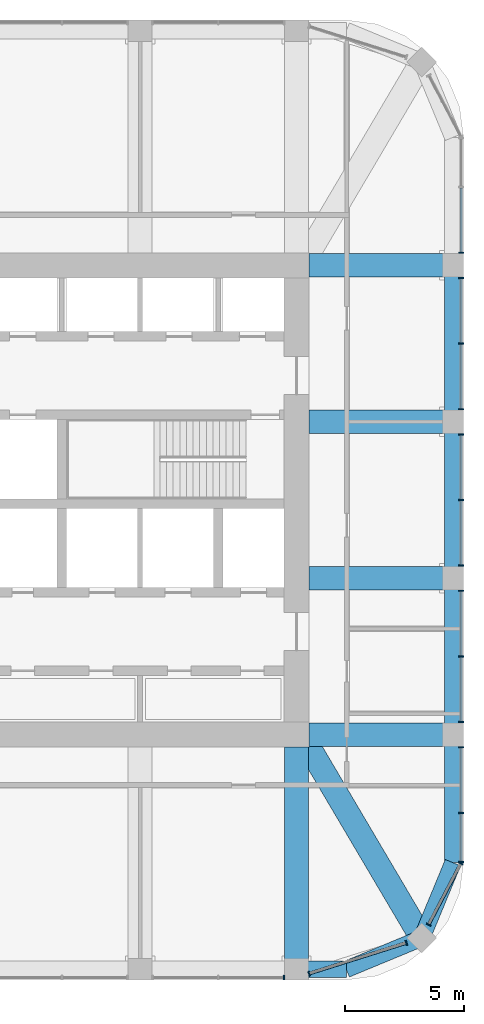
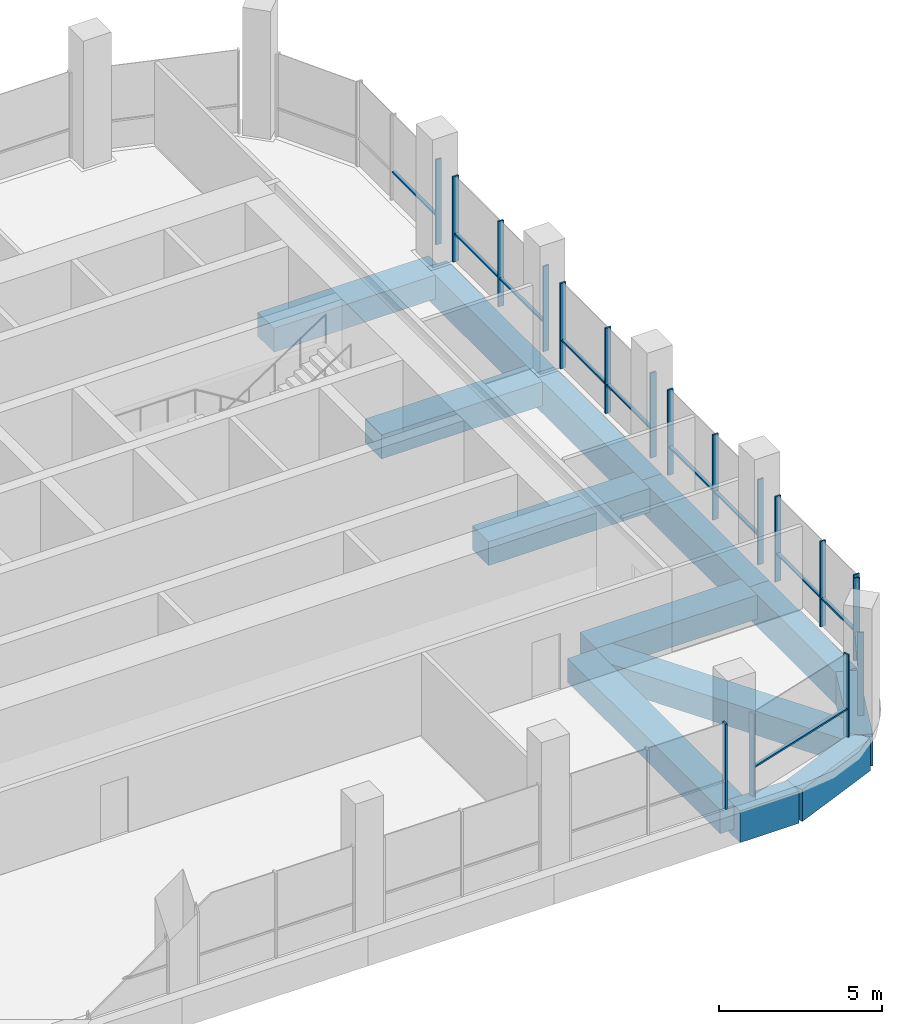
# One storey, part 4 of 13: 29 members, 13 beams, 8 elements without a shape of their own.
"""IFC4 building model written with IfcOpenShell, lengths in metres."""

from ifc_helpers import new_model, si_unit, direction, frame, origin, origin_2d, place, context, subcontext, project, spatial, rectangle, extrude, material, material_profile, profile_set, type_object, element, aggregate, save


model = new_model("IFC4")

# Units and contexts
model_context = context("Model", 3, precision=1e-05, world=origin(), true_north=direction((0.0, 1.0)))
body_context = subcontext(model_context, "Body", "Model", "MODEL_VIEW")
ifc_project = project(units=[si_unit("LENGTHUNIT", "METRE"), si_unit("AREAUNIT", "SQUARE_METRE"), si_unit("VOLUMEUNIT", "CUBIC_METRE"), si_unit("PLANEANGLEUNIT", "RADIAN"), si_unit("MASSUNIT", "GRAM", prefix="KILO")], contexts=[model_context])

# Site, building, storey
site_placement = place(None, origin())
site = spatial("IfcSite", under=ifc_project, at=site_placement, CompositionType="ELEMENT")
building_placement = place(site_placement, origin())
building = spatial("IfcBuilding", under=site, at=building_placement, Name="Cobogo Forest Laboratory Tower", CompositionType="ELEMENT")
storey_placement = place(building_placement, frame((0.0, 0.0, 288.0)))
storey = spatial("IfcBuildingStorey", under=building, at=storey_placement, Name="L66", CompositionType="ELEMENT", Elevation=288.0)

# Curtain wall, member
ifc_material_1 = material(Name="Aluminium curtain wall", Category="aluminium")
curtain_wall_type = type_object("IfcCurtainWallType", Name="CW-C stick curtain wall, crown glazing, conference floor and roof pavilion", PredefinedType="USERDEFINED", material=ifc_material_1)
curtain_wall_1_placement = place(storey_placement, origin())
curtain_wall_1 = element("IfcCurtainWall", 1, at=curtain_wall_1_placement, inside=storey, type_object=curtain_wall_type, Name="Curtain wall 04 L66", ObjectType="STICK CURTAIN WALL", PredefinedType="USERDEFINED")
ifc_material_2 = material(Name="Aluminium mullion", Category="aluminium")
ifc_material_profile_1 = material_profile(ifc_material_2, rectangle(XDim=0.06005859375, YDim=0.199951171875, at=origin_2d()), Name="AL 60x200")
ifc_profile_set_1 = profile_set([ifc_material_profile_1], Name="Aluminium mullion")
member_type_1 = type_object("IfcMemberType", Name="MU-2 aluminium mullion 60x200", PredefinedType="MULLION", material=ifc_profile_set_1)
member_1_placement = place(storey_placement, frame((39.070068359375, 2.949951171875, 0.0), z_axis=(0.0, 0.0, 1.0), x_axis=(1.0, 0.0, 0.0)))
member_1 = element("IfcMember", 2, at=member_1_placement, type_object=member_type_1, Name="CW-C mullion 3", PredefinedType="MULLION", context=body_context, shape_type="SweptSolid", body=[
    extrude(rectangle(XDim=0.06005859375, YDim=0.199951171875, at=origin_2d()), origin(), (0.0, 0.0, 1.0), 3.199951171875),
])
aggregate(curtain_wall_1, [member_1])

# Curtain wall, members
curtain_wall_2_placement = place(storey_placement, origin())
curtain_wall_2 = element("IfcCurtainWall", 3, at=curtain_wall_2_placement, inside=storey, type_object=curtain_wall_type, Name="Curtain wall 05 L66", ObjectType="STICK CURTAIN WALL", PredefinedType="USERDEFINED")
member_2_placement = place(storey_placement, frame((40.128662109375, 3.116943359375, 0.0), z_axis=(0.0, 0.0, 1.0), x_axis=(0.953581379409, 0.301135439371, 0.0)))
member_2 = element("IfcMember", 4, at=member_2_placement, type_object=member_type_1, Name="CW-C mullion 1", PredefinedType="MULLION", context=body_context, shape_type="SweptSolid", body=[
    extrude(rectangle(XDim=0.06005859375, YDim=0.199951171875, at=origin_2d()), origin(), (0.0, 0.0, 1.0), 3.10009765625),
])
member_3_placement = place(storey_placement, frame((44.22998046875, 4.412109375, 0.0), z_axis=(0.0, 0.0, 1.0), x_axis=(0.953581379409, 0.301135439371, 0.0)))
member_3 = element("IfcMember", 5, at=member_3_placement, type_object=member_type_1, Name="CW-C mullion 2", PredefinedType="MULLION", context=body_context, shape_type="SweptSolid", body=[
    extrude(rectangle(XDim=0.06005859375, YDim=0.199951171875, at=origin_2d()), origin(), (0.0, 0.0, 1.0), 3.10009765625),
])

curtain_wall_3_placement = place(storey_placement, origin())
curtain_wall_3 = element("IfcCurtainWall", 6, at=curtain_wall_3_placement, inside=storey, type_object=curtain_wall_type, Name="Curtain wall 06 L66", ObjectType="STICK CURTAIN WALL", PredefinedType="USERDEFINED")
member_4_placement = place(storey_placement, frame((45.177978515625, 5.1826171875, 0.0), z_axis=(0.0, 0.0, 1.0), x_axis=(0.464283778337, 0.885686498245, 0.0)))
member_4 = element("IfcMember", 7, at=member_4_placement, type_object=member_type_1, Name="CW-C mullion 1", PredefinedType="MULLION", context=body_context, shape_type="SweptSolid", body=[
    extrude(rectangle(XDim=0.06005859375, YDim=0.199951171875, at=origin_2d()), origin(), (0.0, 0.0, 1.0), 3.10009765625),
])
member_5_placement = place(storey_placement, frame((46.5361328125, 7.7734375, 0.0), z_axis=(0.0, 0.0, 1.0), x_axis=(0.464283778337, 0.885686498245, 0.0)))
member_5 = element("IfcMember", 8, at=member_5_placement, type_object=member_type_1, Name="CW-C mullion 2", PredefinedType="MULLION", context=body_context, shape_type="SweptSolid", body=[
    extrude(rectangle(XDim=0.06005859375, YDim=0.199951171875, at=origin_2d()), origin(), (0.0, 0.0, 1.0), 3.10009765625),
])

curtain_wall_4_placement = place(storey_placement, origin())
curtain_wall_4 = element("IfcCurtainWall", 9, at=curtain_wall_4_placement, inside=storey, type_object=curtain_wall_type, Name="Curtain wall 07 L66", ObjectType="STICK CURTAIN WALL", PredefinedType="USERDEFINED")
member_6_placement = place(storey_placement, frame((46.550048828125, 7.830078125, 0.0), z_axis=(0.0, 0.0, 1.0), x_axis=(0.0, 1.0, 0.0)))
member_6 = element("IfcMember", 10, at=member_6_placement, type_object=member_type_1, Name="CW-C mullion 1", PredefinedType="MULLION", context=body_context, shape_type="SweptSolid", body=[
    extrude(rectangle(XDim=0.06005859375, YDim=0.199951171875, at=origin_2d()), origin(), (0.0, 0.0, 1.0), 3.199951171875),
])
member_7_placement = place(storey_placement, frame((46.550048828125, 9.89990234375, 0.0), z_axis=(0.0, 0.0, 1.0), x_axis=(0.0, 1.0, 0.0)))
member_7 = element("IfcMember", 11, at=member_7_placement, type_object=member_type_1, Name="CW-C mullion 2", PredefinedType="MULLION", context=body_context, shape_type="SweptSolid", body=[
    extrude(rectangle(XDim=0.06005859375, YDim=0.199951171875, at=origin_2d()), origin(), (0.0, 0.0, 1.0), 3.199951171875),
])
member_8_placement = place(storey_placement, frame((46.550048828125, 12.669921875, 0.0), z_axis=(0.0, 0.0, 1.0), x_axis=(0.0, 1.0, 0.0)))
member_8 = element("IfcMember", 12, at=member_8_placement, type_object=member_type_1, Name="CW-C mullion 3", PredefinedType="MULLION", context=body_context, shape_type="SweptSolid", body=[
    extrude(rectangle(XDim=0.06005859375, YDim=0.199951171875, at=origin_2d()), origin(), (0.0, 0.0, 1.0), 3.199951171875),
])

curtain_wall_5_placement = place(storey_placement, origin())
curtain_wall_5 = element("IfcCurtainWall", 13, at=curtain_wall_5_placement, inside=storey, type_object=curtain_wall_type, Name="Curtain wall 08 L66", ObjectType="STICK CURTAIN WALL", PredefinedType="USERDEFINED")
member_9_placement = place(storey_placement, frame((46.550048828125, 13.72998046875, 0.0), z_axis=(0.0, 0.0, 1.0), x_axis=(0.0, 1.0, 0.0)))
member_9 = element("IfcMember", 14, at=member_9_placement, type_object=member_type_1, Name="CW-C mullion 1", PredefinedType="MULLION", context=body_context, shape_type="SweptSolid", body=[
    extrude(rectangle(XDim=0.06005859375, YDim=0.199951171875, at=origin_2d()), origin(), (0.0, 0.0, 1.0), 3.199951171875),
])
member_10_placement = place(storey_placement, frame((46.550048828125, 16.5, 0.0), z_axis=(0.0, 0.0, 1.0), x_axis=(0.0, 1.0, 0.0)))
member_10 = element("IfcMember", 15, at=member_10_placement, type_object=member_type_1, Name="CW-C mullion 2", PredefinedType="MULLION", context=body_context, shape_type="SweptSolid", body=[
    extrude(rectangle(XDim=0.06005859375, YDim=0.199951171875, at=origin_2d()), origin(), (0.0, 0.0, 1.0), 3.199951171875),
])
member_11_placement = place(storey_placement, frame((46.550048828125, 19.27001953125, 0.0), z_axis=(0.0, 0.0, 1.0), x_axis=(0.0, 1.0, 0.0)))
member_11 = element("IfcMember", 16, at=member_11_placement, type_object=member_type_1, Name="CW-C mullion 3", PredefinedType="MULLION", context=body_context, shape_type="SweptSolid", body=[
    extrude(rectangle(XDim=0.06005859375, YDim=0.199951171875, at=origin_2d()), origin(), (0.0, 0.0, 1.0), 3.199951171875),
])

curtain_wall_6_placement = place(storey_placement, origin())
curtain_wall_6 = element("IfcCurtainWall", 17, at=curtain_wall_6_placement, inside=storey, type_object=curtain_wall_type, Name="Curtain wall 09 L66", ObjectType="STICK CURTAIN WALL", PredefinedType="USERDEFINED")
member_12_placement = place(storey_placement, frame((46.550048828125, 20.330078125, 0.0), z_axis=(0.0, 0.0, 1.0), x_axis=(0.0, 1.0, 0.0)))
member_12 = element("IfcMember", 18, at=member_12_placement, type_object=member_type_1, Name="CW-C mullion 1", PredefinedType="MULLION", context=body_context, shape_type="SweptSolid", body=[
    extrude(rectangle(XDim=0.06005859375, YDim=0.199951171875, at=origin_2d()), origin(), (0.0, 0.0, 1.0), 3.199951171875),
])
member_13_placement = place(storey_placement, frame((46.550048828125, 23.10009765625, 0.0), z_axis=(0.0, 0.0, 1.0), x_axis=(0.0, 1.0, 0.0)))
member_13 = element("IfcMember", 19, at=member_13_placement, type_object=member_type_1, Name="CW-C mullion 2", PredefinedType="MULLION", context=body_context, shape_type="SweptSolid", body=[
    extrude(rectangle(XDim=0.06005859375, YDim=0.199951171875, at=origin_2d()), origin(), (0.0, 0.0, 1.0), 3.199951171875),
])
member_14_placement = place(storey_placement, frame((46.550048828125, 25.8701171875, 0.0), z_axis=(0.0, 0.0, 1.0), x_axis=(0.0, 1.0, 0.0)))
member_14 = element("IfcMember", 20, at=member_14_placement, type_object=member_type_1, Name="CW-C mullion 3", PredefinedType="MULLION", context=body_context, shape_type="SweptSolid", body=[
    extrude(rectangle(XDim=0.06005859375, YDim=0.199951171875, at=origin_2d()), origin(), (0.0, 0.0, 1.0), 3.199951171875),
])

curtain_wall_7_placement = place(storey_placement, origin())
curtain_wall_7 = element("IfcCurtainWall", 21, at=curtain_wall_7_placement, inside=storey, type_object=curtain_wall_type, Name="Curtain wall 10 L66", ObjectType="STICK CURTAIN WALL", PredefinedType="USERDEFINED")
member_15_placement = place(storey_placement, frame((46.550048828125, 26.929931640625, 0.0), z_axis=(0.0, 0.0, 1.0), x_axis=(0.0, 1.0, 0.0)))
member_15 = element("IfcMember", 22, at=member_15_placement, type_object=member_type_1, Name="CW-C mullion 1", PredefinedType="MULLION", context=body_context, shape_type="SweptSolid", body=[
    extrude(rectangle(XDim=0.06005859375, YDim=0.199951171875, at=origin_2d()), origin(), (0.0, 0.0, 1.0), 3.199951171875),
])
member_16_placement = place(storey_placement, frame((46.550048828125, 29.699951171875, 0.0), z_axis=(0.0, 0.0, 1.0), x_axis=(0.0, 1.0, 0.0)))
member_16 = element("IfcMember", 23, at=member_16_placement, type_object=member_type_1, Name="CW-C mullion 2", PredefinedType="MULLION", context=body_context, shape_type="SweptSolid", body=[
    extrude(rectangle(XDim=0.06005859375, YDim=0.199951171875, at=origin_2d()), origin(), (0.0, 0.0, 1.0), 3.199951171875),
])
member_17_placement = place(storey_placement, frame((46.550048828125, 32.469970703125, 0.0), z_axis=(0.0, 0.0, 1.0), x_axis=(0.0, 1.0, 0.0)))
member_17 = element("IfcMember", 24, at=member_17_placement, type_object=member_type_1, Name="CW-C mullion 3", PredefinedType="MULLION", context=body_context, shape_type="SweptSolid", body=[
    extrude(rectangle(XDim=0.06005859375, YDim=0.199951171875, at=origin_2d()), origin(), (0.0, 0.0, 1.0), 3.199951171875),
])

# Curtain wall, member
curtain_wall_8_placement = place(storey_placement, origin())
curtain_wall_8 = element("IfcCurtainWall", 25, at=curtain_wall_8_placement, inside=storey, type_object=curtain_wall_type, Name="Curtain wall 11 L66", ObjectType="STICK CURTAIN WALL", PredefinedType="USERDEFINED")
member_18_placement = place(storey_placement, frame((46.550048828125, 33.530029296875, 0.0), z_axis=(0.0, 0.0, 1.0), x_axis=(0.0, 1.0, 0.0)))
member_18 = element("IfcMember", 26, at=member_18_placement, type_object=member_type_1, Name="CW-C mullion 1", PredefinedType="MULLION", context=body_context, shape_type="SweptSolid", body=[
    extrude(rectangle(XDim=0.06005859375, YDim=0.199951171875, at=origin_2d()), origin(), (0.0, 0.0, 1.0), 3.199951171875),
])

# Beams
ifc_material_3 = material(Name="Concrete HA-40 (C40/50)", Category="concrete")
ifc_material_profile_2 = material_profile(ifc_material_3, rectangle(XDim=1.0, YDim=0.89990234375, at=origin_2d()), Name="RC 1000x900")
ifc_profile_set_2 = profile_set([ifc_material_profile_2], Name="Concrete HA-40 (C40/50)")
beam_type_1 = type_object("IfcBeamType", Name="Office floor wide beam 1000x900", PredefinedType="BEAM", material=ifc_profile_set_2)
beam_1_placement = place(storey_placement, frame((39.60009765625, 12.675048828125, -0.75), z_axis=(0.0, -1.0, 0.0), x_axis=(1.0, 0.0, 0.0)))
element("IfcBeam", 27, at=beam_1_placement, inside=storey, type_object=beam_type_1, Name="RB2 R-7-S L66", PredefinedType="BEAM", context=body_context, shape_type="SweptSolid", body=[
    extrude(rectangle(XDim=1.0, YDim=0.89990234375, at=origin_2d()), origin(), (0.0, 0.0, 1.0), 9.375),
])
for number, where, z_axis, x_axis, name in (
    (28, (40.125, 13.199951171875, -0.75), (1.0, 0.0, 0.0), (0.0, 1.0, 0.0), "RB2 R-C-E L66"),
    (29, (40.125, 19.800048828125, -0.75), (1.0, 0.0, 0.0), (0.0, 1.0, 0.0), "RB2 R-D-E L66"),
    (30, (40.125, 26.39990234375, -0.75), (1.0, 0.0, 0.0), (0.0, 1.0, 0.0), "RB2 R-E-E L66"),
    (31, (40.125, 33.0, -0.75), (1.0, 0.0, 0.0), (0.0, 1.0, 0.0), "RB2 R-F-E L66"),
):
    element("IfcBeam", number, at=place(storey_placement, frame(where, z_axis=z_axis, x_axis=x_axis)), inside=storey, type_object=beam_type_1, Name=name, PredefinedType="BEAM", context=body_context, shape_type="SweptSolid", body=[
        extrude(rectangle(XDim=1.0, YDim=0.89990234375, at=origin_2d()), origin(), (0.0, 0.0, 1.0), 6.074951171875),
    ])
beam_2_placement = place(storey_placement, frame((44.882080078125, 4.617919921875, -0.75), z_axis=(-0.508416325908, 0.861111397875, 0.0), x_axis=(-0.861111397875, -0.508416325908, 0.0)))
element("IfcBeam", 32, at=beam_2_placement, inside=storey, type_object=beam_type_1, Name="RB2 G-SE-D1 L66", PredefinedType="BEAM", context=body_context, shape_type="SweptSolid", body=[
    extrude(rectangle(XDim=1.0, YDim=0.89990234375, at=origin_2d()), origin(), (0.0, 0.0, 1.0), 9.356689453125),
])
ifc_material_profile_3 = material_profile(ifc_material_3, rectangle(XDim=0.699951171875, YDim=1.199951171875, at=origin_2d()), Name="RC 700x1200")
ifc_profile_set_3 = profile_set([ifc_material_profile_3], Name="Concrete HA-40 (C40/50)")
beam_type_2 = type_object("IfcBeamType", Name="Perimeter edge beam 700x1200", PredefinedType="BEAM", material=ifc_profile_set_3)
beam_3_placement = place(storey_placement, frame((46.199951171875, 13.199951171875, -0.89990234375), z_axis=(0.0, 1.0, 0.0), x_axis=(-1.0, 0.0, 0.0)))
element("IfcBeam", 33, at=beam_3_placement, inside=storey, type_object=beam_type_2, Name="EB1 E-E1 L66", PredefinedType="BEAM", context=body_context, shape_type="SweptSolid", body=[
    extrude(rectangle(XDim=0.699951171875, YDim=1.199951171875, at=origin_2d()), origin(), (0.0, 0.0, 1.0), 6.60009765625),
])
beam_4_placement = place(storey_placement, frame((46.199951171875, 19.800048828125, -0.89990234375), z_axis=(0.0, 1.0, 0.0), x_axis=(-1.0, 0.0, 0.0)))
element("IfcBeam", 34, at=beam_4_placement, inside=storey, type_object=beam_type_2, Name="EB1 E-E2 L66", PredefinedType="BEAM", context=body_context, shape_type="SweptSolid", body=[
    extrude(rectangle(XDim=0.699951171875, YDim=1.199951171875, at=origin_2d()), origin(), (0.0, 0.0, 1.0), 6.599853515625),
])
beam_5_placement = place(storey_placement, frame((46.199951171875, 26.39990234375, -0.89990234375), z_axis=(0.0, 1.0, 0.0), x_axis=(-1.0, 0.0, 0.0)))
element("IfcBeam", 35, at=beam_5_placement, inside=storey, type_object=beam_type_2, Name="EB1 E-E3 L66", PredefinedType="BEAM", context=body_context, shape_type="SweptSolid", body=[
    extrude(rectangle(XDim=0.699951171875, YDim=1.199951171875, at=origin_2d()), origin(), (0.0, 0.0, 1.0), 6.60009765625),
])
beam_6_placement = place(storey_placement, frame((39.60009765625, 3.300048828125, -0.89990234375), z_axis=(1.0, 0.0, 0.0), x_axis=(0.0, 1.0, 0.0)))
element("IfcBeam", 36, at=beam_6_placement, inside=storey, type_object=beam_type_2, Name="EB1 E-SES1 L66", PredefinedType="BEAM", context=body_context, shape_type="SweptSolid", body=[
    extrude(rectangle(XDim=0.699951171875, YDim=1.199951171875, at=origin_2d()), origin(), (0.0, 0.0, 1.0), 2.099853515625),
])
beam_7_placement = place(storey_placement, frame((41.699951171875, 3.300048828125, -0.89990234375), z_axis=(0.923901072997, 0.382631424892, 0.0), x_axis=(-0.382631424892, 0.923901072997, 0.0)))
element("IfcBeam", 37, at=beam_7_placement, inside=storey, type_object=beam_type_2, Name="EB1 E-SES2 L66", PredefinedType="BEAM", context=body_context, shape_type="SweptSolid", body=[
    extrude(rectangle(XDim=0.699951171875, YDim=1.199951171875, at=origin_2d()), origin(), (0.0, 0.0, 1.0), 3.4443359375),
])
beam_8_placement = place(storey_placement, frame((46.199951171875, 13.199951171875, -0.89990234375), z_axis=(0.0, -1.0, 0.0), x_axis=(1.0, 0.0, 0.0)))
element("IfcBeam", 38, at=beam_8_placement, inside=storey, type_object=beam_type_2, Name="EB1 E-SEE1 L66", PredefinedType="BEAM", context=body_context, shape_type="SweptSolid", body=[
    extrude(rectangle(XDim=0.699951171875, YDim=1.199951171875, at=origin_2d()), origin(), (0.0, 0.0, 1.0), 5.39990234375),
])
beam_9_placement = place(storey_placement, frame((46.199951171875, 7.800048828125, -0.89990234375), z_axis=(-0.382631424892, -0.923901072997, 0.0), x_axis=(0.923901072997, -0.382631424892, 0.0)))
element("IfcBeam", 39, at=beam_9_placement, inside=storey, type_object=beam_type_2, Name="EB1 E-SEE2 L66", PredefinedType="BEAM", context=body_context, shape_type="SweptSolid", body=[
    extrude(rectangle(XDim=0.699951171875, YDim=1.199951171875, at=origin_2d()), origin(), (0.0, 0.0, 1.0), 3.4443359375),
])

# Member
ifc_material_4 = material(Name="Aluminium transom", Category="aluminium")
ifc_material_profile_4 = material_profile(ifc_material_4, rectangle(XDim=0.1201171875, YDim=0.06005859375, at=origin_2d()), Name="AL 60x120")
ifc_profile_set_4 = profile_set([ifc_material_profile_4], Name="Aluminium transom")
member_type_2 = type_object("IfcMemberType", Name="TR-1 aluminium transom 60x120", PredefinedType="USERDEFINED", material=ifc_profile_set_4)
member_19_placement = place(storey_placement, frame((40.1572265625, 3.1259765625, 1.050048828125), z_axis=(0.953583535148, 0.30112861288, 0.0), x_axis=(-0.30112861288, 0.953583535148, 0.0)))
member_19 = element("IfcMember", 40, at=member_19_placement, type_object=member_type_2, Name="CW-C transom 1.1", ObjectType="TRANSOM", PredefinedType="USERDEFINED", context=body_context, shape_type="SweptSolid", body=[
    extrude(rectangle(XDim=0.1201171875, YDim=0.06005859375, at=origin_2d()), origin(), (0.0, 0.0, 1.0), 4.240966796875),
])

aggregate(curtain_wall_2, [member_2, member_3, member_19])

member_20_placement = place(storey_placement, frame((45.19189453125, 5.209228515625, 1.050048828125), z_axis=(0.46430944806, 0.885673041501, 0.0), x_axis=(-0.885673041501, 0.46430944806, 0.0)))
member_20 = element("IfcMember", 41, at=member_20_placement, type_object=member_type_2, Name="CW-C transom 1.1", ObjectType="TRANSOM", PredefinedType="USERDEFINED", context=body_context, shape_type="SweptSolid", body=[
    extrude(rectangle(XDim=0.1201171875, YDim=0.06005859375, at=origin_2d()), origin(), (0.0, 0.0, 1.0), 2.865234375),
])

aggregate(curtain_wall_3, [member_4, member_5, member_20])

member_21_placement = place(storey_placement, frame((46.550048828125, 7.860107421875, 1.050048828125), z_axis=(0.0, 1.0, 0.0), x_axis=(-1.0, 0.0, 0.0)))
member_21 = element("IfcMember", 42, at=member_21_placement, type_object=member_type_2, Name="CW-C transom 1.1", ObjectType="TRANSOM", PredefinedType="USERDEFINED", context=body_context, shape_type="SweptSolid", body=[
    extrude(rectangle(XDim=0.1201171875, YDim=0.06005859375, at=origin_2d()), origin(), (0.0, 0.0, 1.0), 2.010009765625),
])

member_22_placement = place(storey_placement, frame((46.550048828125, 9.929931640625, 1.050048828125), z_axis=(0.0, 1.0, 0.0), x_axis=(-1.0, 0.0, 0.0)))
member_22 = element("IfcMember", 43, at=member_22_placement, type_object=member_type_2, Name="CW-C transom 2.1", ObjectType="TRANSOM", PredefinedType="USERDEFINED", context=body_context, shape_type="SweptSolid", body=[
    extrude(rectangle(XDim=0.1201171875, YDim=0.06005859375, at=origin_2d()), origin(), (0.0, 0.0, 1.0), 2.7099609375),
])

aggregate(curtain_wall_4, [member_6, member_7, member_8, member_21, member_22])

member_23_placement = place(storey_placement, frame((46.550048828125, 13.760009765625, 1.050048828125), z_axis=(0.0, 1.0, 0.0), x_axis=(-1.0, 0.0, 0.0)))
member_23 = element("IfcMember", 44, at=member_23_placement, type_object=member_type_2, Name="CW-C transom 1.1", ObjectType="TRANSOM", PredefinedType="USERDEFINED", context=body_context, shape_type="SweptSolid", body=[
    extrude(rectangle(XDim=0.1201171875, YDim=0.06005859375, at=origin_2d()), origin(), (0.0, 0.0, 1.0), 2.7099609375),
])

member_24_placement = place(storey_placement, frame((46.550048828125, 16.530029296875, 1.050048828125), z_axis=(0.0, 1.0, 0.0), x_axis=(-1.0, 0.0, 0.0)))
member_24 = element("IfcMember", 45, at=member_24_placement, type_object=member_type_2, Name="CW-C transom 2.1", ObjectType="TRANSOM", PredefinedType="USERDEFINED", context=body_context, shape_type="SweptSolid", body=[
    extrude(rectangle(XDim=0.1201171875, YDim=0.06005859375, at=origin_2d()), origin(), (0.0, 0.0, 1.0), 2.7099609375),
])

aggregate(curtain_wall_5, [member_9, member_10, member_11, member_23, member_24])

member_25_placement = place(storey_placement, frame((46.550048828125, 20.360107421875, 1.050048828125), z_axis=(0.0, 1.0, 0.0), x_axis=(-1.0, 0.0, 0.0)))
member_25 = element("IfcMember", 46, at=member_25_placement, type_object=member_type_2, Name="CW-C transom 1.1", ObjectType="TRANSOM", PredefinedType="USERDEFINED", context=body_context, shape_type="SweptSolid", body=[
    extrude(rectangle(XDim=0.1201171875, YDim=0.06005859375, at=origin_2d()), origin(), (0.0, 0.0, 1.0), 2.7099609375),
])

member_26_placement = place(storey_placement, frame((46.550048828125, 23.1298828125, 1.050048828125), z_axis=(0.0, 1.0, 0.0), x_axis=(-1.0, 0.0, 0.0)))
member_26 = element("IfcMember", 47, at=member_26_placement, type_object=member_type_2, Name="CW-C transom 2.1", ObjectType="TRANSOM", PredefinedType="USERDEFINED", context=body_context, shape_type="SweptSolid", body=[
    extrude(rectangle(XDim=0.1201171875, YDim=0.06005859375, at=origin_2d()), origin(), (0.0, 0.0, 1.0), 2.710205078125),
])

aggregate(curtain_wall_6, [member_12, member_13, member_14, member_25, member_26])

member_27_placement = place(storey_placement, frame((46.550048828125, 26.9599609375, 1.050048828125), z_axis=(0.0, 1.0, 0.0), x_axis=(-1.0, 0.0, 0.0)))
member_27 = element("IfcMember", 48, at=member_27_placement, type_object=member_type_2, Name="CW-C transom 1.1", ObjectType="TRANSOM", PredefinedType="USERDEFINED", context=body_context, shape_type="SweptSolid", body=[
    extrude(rectangle(XDim=0.1201171875, YDim=0.06005859375, at=origin_2d()), origin(), (0.0, 0.0, 1.0), 2.7099609375),
])

member_28_placement = place(storey_placement, frame((46.550048828125, 29.72998046875, 1.050048828125), z_axis=(0.0, 1.0, 0.0), x_axis=(-1.0, 0.0, 0.0)))
member_28 = element("IfcMember", 49, at=member_28_placement, type_object=member_type_2, Name="CW-C transom 2.1", ObjectType="TRANSOM", PredefinedType="USERDEFINED", context=body_context, shape_type="SweptSolid", body=[
    extrude(rectangle(XDim=0.1201171875, YDim=0.06005859375, at=origin_2d()), origin(), (0.0, 0.0, 1.0), 2.7099609375),
])

aggregate(curtain_wall_7, [member_15, member_16, member_17, member_27, member_28])

member_29_placement = place(storey_placement, frame((46.550048828125, 33.56005859375, 1.050048828125), z_axis=(0.0, 1.0, 0.0), x_axis=(-1.0, 0.0, 0.0)))
member_29 = element("IfcMember", 50, at=member_29_placement, type_object=member_type_2, Name="CW-C transom 1.1", ObjectType="TRANSOM", PredefinedType="USERDEFINED", context=body_context, shape_type="SweptSolid", body=[
    extrude(rectangle(XDim=0.1201171875, YDim=0.06005859375, at=origin_2d()), origin(), (0.0, 0.0, 1.0), 2.7099609375),
])

aggregate(curtain_wall_8, [member_18, member_29])

save(model, "model.ifc")
